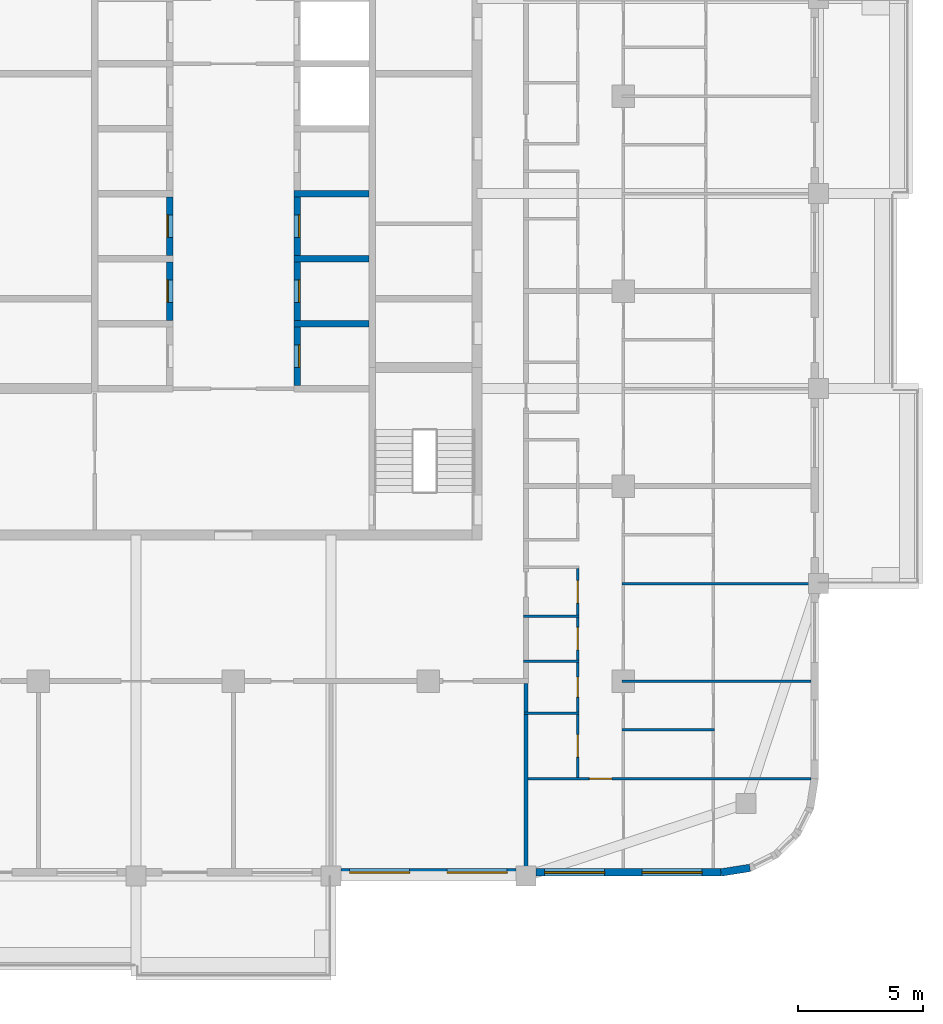
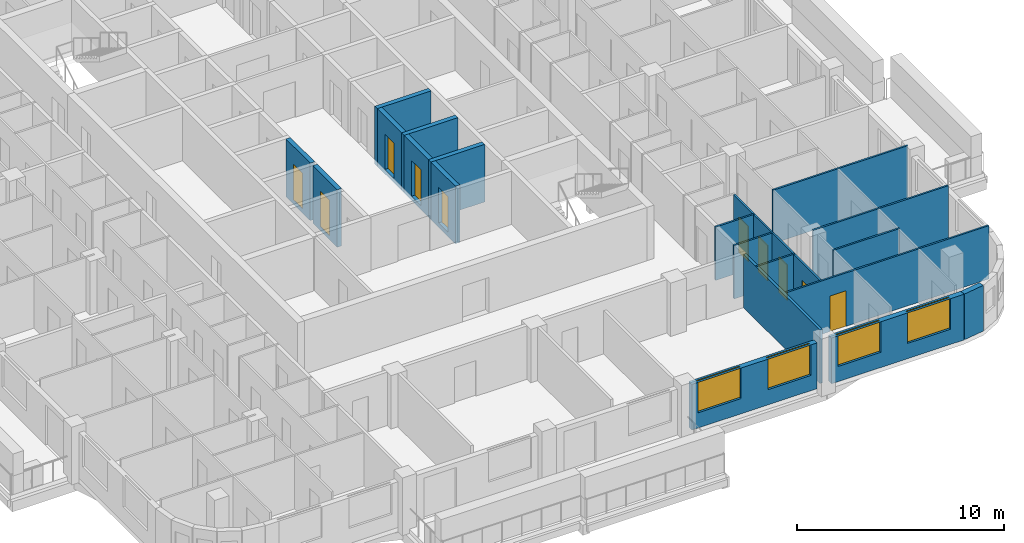
# One storey, part 5 of 16: 20 walls, 10 doors, 4 windows, 14 openings.
"""IFC4 building model written with IfcOpenShell, lengths in metres."""

from ifc_helpers import new_model, si_unit, direction, frame, frame_2d, origin, place, context, subcontext, project, spatial, rectangle, extrude, material, layer, layer_set, type_object, element, fill, save


model = new_model("IFC4")

# Units and contexts
model_context = context("Model", 3, precision=1e-05, world=origin(), true_north=direction((0.0, 1.0)))
body_context = subcontext(model_context, "Body", "Model", "MODEL_VIEW")
ifc_project = project(units=[si_unit("LENGTHUNIT", "METRE"), si_unit("AREAUNIT", "SQUARE_METRE"), si_unit("VOLUMEUNIT", "CUBIC_METRE"), si_unit("PLANEANGLEUNIT", "RADIAN"), si_unit("MASSUNIT", "GRAM", prefix="KILO")], contexts=[model_context])

# Site, building, storey
site_placement = place(None, origin())
site = spatial("IfcSite", under=ifc_project, at=site_placement, CompositionType="ELEMENT")
building_placement = place(site_placement, origin())
building = spatial("IfcBuilding", under=site, at=building_placement, Name="Ludao Terraces", CompositionType="ELEMENT")
storey_placement = place(building_placement, frame((0.0, 0.0, 214.300048828125)))
storey = spatial("IfcBuildingStorey", under=building, at=storey_placement, Name="L58", CompositionType="ELEMENT", Elevation=214.300048828125)

# Wall, openings, windows
ifc_material_1 = material(Name="Granite cladding", Category="masonry")
ifc_layer_1 = layer(ifc_material_1, 0.0400390625, Category="stone")
ifc_material_2 = material(Name="Mineral wool")
ifc_layer_2 = layer(ifc_material_2, 0.06005859375)
ifc_material_3 = material(Name="Concrete C40", Category="concrete")
ifc_layer_3 = layer(ifc_material_3, 0.199951171875, Category="concrete")
ifc_layer_set_1 = layer_set([ifc_layer_1, ifc_layer_2, ifc_layer_3], Name="ENV Stone-clad wall 300")
wall_type_1 = type_object("IfcWallType", Name="ENV Stone-clad wall 300", PredefinedType="SOLIDWALL", material=ifc_layer_set_1)
wall_1_placement = place(storey_placement, frame((89.300048828125, 41.75, 0.0), z_axis=(0.0, 0.0, 1.0), x_axis=(1.0, 0.0, 0.0)))
wall_1 = element("IfcWall", 1, at=wall_1_placement, inside=storey, type_object=wall_type_1, Name="EW-L58-S4", PredefinedType="SOLIDWALL", context=body_context, shape_type="SweptSolid", body=[
    extrude(rectangle(XDim=7.0, YDim=0.300048828125, at=frame_2d((3.5, 0.0))), origin(), (0.0, 0.0, 1.0), 2.699951171875),
])
opening_1_placement = place(wall_1_placement, frame((0.35009765625, 0.0, 0.89990234375)))
opening_1 = element("IfcOpeningElement", 2, at=opening_1_placement, cuts=wall_1, Name="Opening W1", PredefinedType="OPENING", context=body_context, shape_type="SweptSolid", body=[
    extrude(rectangle(XDim=2.39990234375, YDim=1.800048828125, at=frame_2d((1.199951171875, 0.89990234375))), frame((0.0, 0.16015625, 0.0), z_axis=(0.0, -1.0, 0.0), x_axis=(1.0, 0.0, 0.0)), (0.0, 0.0, 1.0), 0.320068359375),
])
opening_2_placement = place(wall_1_placement, frame((4.25, 0.0, 0.89990234375)))
opening_2 = element("IfcOpeningElement", 3, at=opening_2_placement, cuts=wall_1, Name="Opening W1", PredefinedType="OPENING", context=body_context, shape_type="SweptSolid", body=[
    extrude(rectangle(XDim=2.39990234375, YDim=1.800048828125, at=frame_2d((1.199951171875, 0.89990234375))), frame((0.0, 0.16015625, 0.0), z_axis=(0.0, -1.0, 0.0), x_axis=(1.0, 0.0, 0.0)), (0.0, 0.0, 1.0), 0.320068359375),
])
ifc_material_4 = material(Name="Clear glass in aluminium frame", Category="aluminium")
ifc_layer_4 = layer(ifc_material_4, 0.06005859375)
ifc_layer_set_2 = layer_set([ifc_layer_4], Name="ENV Window W1 2400x1800")
window_type = type_object("IfcWindowType", Name="ENV Window W1 2400x1800", PartitioningType="DOUBLE_PANEL_VERTICAL", PredefinedType="WINDOW", material=ifc_layer_set_2)
window_1_placement = place(opening_1_placement, origin())
window_1 = element("IfcWindow", 4, at=window_1_placement, inside=storey, type_object=window_type, Name="W-L58-S4-1", OverallHeight=1.800048828125, OverallWidth=2.39990234375, PartitioningType="DOUBLE_PANEL_VERTICAL", PredefinedType="WINDOW", context=body_context, shape_type="SweptSolid", body=[
    extrude(rectangle(XDim=2.39990234375, YDim=1.800048828125, at=frame_2d((1.199951171875, 0.89990234375))), frame((0.0, 0.030029296875, 0.0), z_axis=(0.0, -1.0, 0.0), x_axis=(1.0, 0.0, 0.0)), (0.0, 0.0, 1.0), 0.06005859375),
])
fill(opening_1, window_1)
window_2_placement = place(opening_2_placement, origin())
window_2 = element("IfcWindow", 5, at=window_2_placement, inside=storey, type_object=window_type, Name="W-L58-S4-2", OverallHeight=1.800048828125, OverallWidth=2.39990234375, PartitioningType="DOUBLE_PANEL_VERTICAL", PredefinedType="WINDOW", context=body_context, shape_type="SweptSolid", body=[
    extrude(rectangle(XDim=2.39990234375, YDim=1.800048828125, at=frame_2d((1.199951171875, 0.89990234375))), frame((0.0, 0.030029296875, 0.0), z_axis=(0.0, -1.0, 0.0), x_axis=(1.0, 0.0, 0.0)), (0.0, 0.0, 1.0), 0.06005859375),
])
fill(opening_2, window_2)

wall_2_placement = place(storey_placement, frame((97.10009765625, 41.75, 0.0), z_axis=(0.0, 0.0, 1.0), x_axis=(1.0, 0.0, 0.0)))
wall_2 = element("IfcWall", 6, at=wall_2_placement, inside=storey, type_object=wall_type_1, Name="EW-L58-S5", PredefinedType="SOLIDWALL", context=body_context, shape_type="SweptSolid", body=[
    extrude(rectangle(XDim=7.39990234375, YDim=0.300048828125, at=frame_2d((3.699951171875, 0.0))), origin(), (0.0, 0.0, 1.0), 2.699951171875),
])
opening_3_placement = place(wall_2_placement, frame((0.35009765625, 0.0, 0.89990234375)))
opening_3 = element("IfcOpeningElement", 7, at=opening_3_placement, cuts=wall_2, Name="Opening W1", PredefinedType="OPENING", context=body_context, shape_type="SweptSolid", body=[
    extrude(rectangle(XDim=2.39990234375, YDim=1.800048828125, at=frame_2d((1.199951171875, 0.89990234375))), frame((0.0, 0.16015625, 0.0), z_axis=(0.0, -1.0, 0.0), x_axis=(1.0, 0.0, 0.0)), (0.0, 0.0, 1.0), 0.320068359375),
])
opening_4_placement = place(wall_2_placement, frame((4.25, 0.0, 0.89990234375)))
opening_4 = element("IfcOpeningElement", 8, at=opening_4_placement, cuts=wall_2, Name="Opening W1", PredefinedType="OPENING", context=body_context, shape_type="SweptSolid", body=[
    extrude(rectangle(XDim=2.39990234375, YDim=1.800048828125, at=frame_2d((1.199951171875, 0.89990234375))), frame((0.0, 0.16015625, 0.0), z_axis=(0.0, -1.0, 0.0), x_axis=(1.0, 0.0, 0.0)), (0.0, 0.0, 1.0), 0.320068359375),
])
window_3_placement = place(opening_3_placement, origin())
window_3 = element("IfcWindow", 9, at=window_3_placement, inside=storey, type_object=window_type, Name="W-L58-S5-1", OverallHeight=1.800048828125, OverallWidth=2.39990234375, PartitioningType="DOUBLE_PANEL_VERTICAL", PredefinedType="WINDOW", context=body_context, shape_type="SweptSolid", body=[
    extrude(rectangle(XDim=2.39990234375, YDim=1.800048828125, at=frame_2d((1.199951171875, 0.89990234375))), frame((0.0, 0.030029296875, 0.0), z_axis=(0.0, -1.0, 0.0), x_axis=(1.0, 0.0, 0.0)), (0.0, 0.0, 1.0), 0.06005859375),
])
fill(opening_3, window_3)
window_4_placement = place(opening_4_placement, origin())
window_4 = element("IfcWindow", 10, at=window_4_placement, inside=storey, type_object=window_type, Name="W-L58-S5-2", OverallHeight=1.800048828125, OverallWidth=2.39990234375, PartitioningType="DOUBLE_PANEL_VERTICAL", PredefinedType="WINDOW", context=body_context, shape_type="SweptSolid", body=[
    extrude(rectangle(XDim=2.39990234375, YDim=1.800048828125, at=frame_2d((1.199951171875, 0.89990234375))), frame((0.0, 0.030029296875, 0.0), z_axis=(0.0, -1.0, 0.0), x_axis=(1.0, 0.0, 0.0)), (0.0, 0.0, 1.0), 0.06005859375),
])
fill(opening_4, window_4)

# Wall
wall_3_placement = place(storey_placement, frame((104.5, 41.75, 0.0), z_axis=(0.0, 0.0, 1.0), x_axis=(0.987678452879, 0.156496880861, 0.0)))
element("IfcWall", 11, at=wall_3_placement, inside=storey, type_object=wall_type_1, Name="EW-L58-SE1", PredefinedType="SOLIDWALL", context=body_context, shape_type="SweptSolid", body=[
    extrude(rectangle(XDim=1.173095703125, YDim=0.300048828125, at=frame_2d((0.58642578125, 0.0))), origin(), (0.0, 0.0, 1.0), 2.699951171875),
])

# Wall, opening, door
ifc_material_5 = material(Name="Gypsum plasterboard", Category="gypsum")
ifc_layer_5 = layer(ifc_material_5, 0.012451171875, Category="gypsum")
ifc_layer_6 = layer(ifc_material_2, 0.06005859375, Name="insulation")
ifc_material_6 = material(Name="Steel Q235", Category="steel")
ifc_layer_7 = layer(ifc_material_6, 0.014892578125, Name="stud")
ifc_layer_8 = layer(ifc_material_5, 0.012451171875, Category="gypsum")
ifc_layer_set_3 = layer_set([ifc_layer_5, ifc_layer_6, ifc_layer_7, ifc_layer_8], Name="INT Partition 100")
wall_type_2 = type_object("IfcWallType", Name="INT Partition 100", PredefinedType="PARTITIONING", material=ifc_layer_set_3)
wall_4_placement = place(storey_placement, frame((96.625, 45.5, 0.0), z_axis=(0.0, 0.0, 1.0), x_axis=(1.0, 0.0, 0.0)))
wall_4 = element("IfcWall", 12, at=wall_4_placement, inside=storey, type_object=wall_type_2, Name="PW-L58-PW001", PredefinedType="PARTITIONING", context=body_context, shape_type="SweptSolid", body=[
    extrude(rectangle(XDim=11.47509765625, YDim=0.10009765625, at=frame_2d((5.737548828125, 0.0))), origin(), (0.0, 0.0, 1.0), 3.14990234375),
])
opening_5_placement = place(wall_4_placement, frame((2.610107421875, 0.0, 0.0)))
opening_5 = element("IfcOpeningElement", 13, at=opening_5_placement, cuts=wall_4, Name="Opening R21-006", PredefinedType="OPENING", context=body_context, shape_type="SweptSolid", body=[
    extrude(rectangle(XDim=0.89990234375, YDim=2.10009765625, at=frame_2d((0.449951171875, 1.050048828125))), frame((0.0, 0.06005859375, 0.0), z_axis=(0.0, -1.0, 0.0), x_axis=(1.0, 0.0, 0.0)), (0.0, 0.0, 1.0), 0.1201171875),
])
ifc_material_7 = material(Name="Timber door leaf", Category="wood")
door_type_1 = type_object("IfcDoorType", Name="INT Room door 900", OperationType="SINGLE_SWING_LEFT", PredefinedType="DOOR", material=ifc_material_7)
door_1_placement = place(opening_5_placement, origin())
door_1 = element("IfcDoor", 14, at=door_1_placement, inside=storey, type_object=door_type_1, Name="DOOR 006", OperationType="SINGLE_SWING_RIGHT", OverallHeight=2.10009765625, OverallWidth=0.89990234375, PredefinedType="DOOR", context=body_context, shape_type="SweptSolid", body=[
    extrude(rectangle(XDim=0.89990234375, YDim=2.10009765625, at=frame_2d((0.449951171875, 1.050048828125))), frame((0.0, 0.02490234375, 0.0), z_axis=(0.0, -1.0, 0.0), x_axis=(1.0, 0.0, 0.0)), (0.0, 0.0, 1.0), 0.050048828125),
])
fill(opening_5, door_1)

# Walls
wall_5_placement = place(storey_placement, frame((100.550048828125, 47.449951171875, 0.0), z_axis=(0.0, 0.0, 1.0), x_axis=(1.0, 0.0, 0.0)))
element("IfcWall", 15, at=wall_5_placement, inside=storey, type_object=wall_type_2, Name="PW-L58-PW003", PredefinedType="PARTITIONING", context=body_context, shape_type="SweptSolid", body=[
    extrude(rectangle(XDim=3.699951171875, YDim=0.10009765625, at=frame_2d((1.85009765625, 0.0))), origin(), (0.0, 0.0, 1.0), 3.14990234375),
])
wall_6_placement = place(storey_placement, frame((96.625, 48.1201171875, 0.0), z_axis=(0.0, 0.0, 1.0), x_axis=(1.0, 0.0, 0.0)))
element("IfcWall", 16, at=wall_6_placement, inside=storey, type_object=wall_type_2, Name="PW-L58-PW005", PredefinedType="PARTITIONING", context=body_context, shape_type="SweptSolid", body=[
    extrude(rectangle(XDim=2.195068359375, YDim=0.10009765625, at=frame_2d((1.09765625, 0.0))), origin(), (0.0, 0.0, 1.0), 3.14990234375),
])
wall_7_placement = place(storey_placement, frame((100.550048828125, 49.39990234375, 0.0), z_axis=(0.0, 0.0, 1.0), x_axis=(1.0, 0.0, 0.0)))
element("IfcWall", 17, at=wall_7_placement, inside=storey, type_object=wall_type_2, Name="PW-L58-PW008", PredefinedType="PARTITIONING", context=body_context, shape_type="SweptSolid", body=[
    extrude(rectangle(XDim=7.550048828125, YDim=0.10009765625, at=frame_2d((3.77490234375, 0.0))), origin(), (0.0, 0.0, 1.0), 3.14990234375),
])
for number, where, z_axis, x_axis, name in (
    (18, (96.60009765625, 50.199951171875, 0.0), (0.0, 0.0, 1.0), (1.0, 0.0, 0.0), "PW-L58-PW009"),
    (19, (96.60009765625, 52.0, 0.0), (0.0, 0.0, 1.0), (1.0, 0.0, 0.0), "PW-L58-PW011"),
):
    element("IfcWall", number, at=place(storey_placement, frame(where, z_axis=z_axis, x_axis=x_axis)), inside=storey, type_object=wall_type_2, Name=name, PredefinedType="PARTITIONING", context=body_context, shape_type="SweptSolid", body=[
        extrude(rectangle(XDim=2.219970703125, YDim=0.10009765625, at=frame_2d((1.10986328125, 0.0))), origin(), (0.0, 0.0, 1.0), 3.14990234375),
    ])
wall_8_placement = place(storey_placement, frame((100.550048828125, 53.300048828125, 0.0), z_axis=(0.0, 0.0, 1.0), x_axis=(1.0, 0.0, 0.0)))
element("IfcWall", 20, at=wall_8_placement, inside=storey, type_object=wall_type_2, Name="PW-L58-PW013", PredefinedType="PARTITIONING", context=body_context, shape_type="SweptSolid", body=[
    extrude(rectangle(XDim=7.550048828125, YDim=0.10009765625, at=frame_2d((3.77490234375, 0.0))), origin(), (0.0, 0.0, 1.0), 3.14990234375),
])

# Wall, openings, doors
wall_9_placement = place(storey_placement, frame((98.77001953125, 45.550048828125, 0.0), z_axis=(0.0, 0.0, 1.0), x_axis=(0.0, 1.0, 0.0)))
wall_9 = element("IfcWall", 21, at=wall_9_placement, inside=storey, type_object=wall_type_2, Name="PW-L58-PW092", PredefinedType="PARTITIONING", context=body_context, shape_type="SweptSolid", body=[
    extrude(rectangle(XDim=8.35009765625, YDim=0.10009765625, at=frame_2d((4.175048828125, 0.0))), origin(), (0.0, 0.0, 1.0), 3.14990234375),
])
opening_6_placement = place(wall_9_placement, frame((0.81005859375, 0.0, 0.0)))
opening_6 = element("IfcOpeningElement", 22, at=opening_6_placement, cuts=wall_9, Name="Opening R21-010", PredefinedType="OPENING", context=body_context, shape_type="SweptSolid", body=[
    extrude(rectangle(XDim=0.89990234375, YDim=2.10009765625, at=frame_2d((0.449951171875, 1.050048828125))), frame((0.0, 0.06005859375, 0.0), z_axis=(0.0, -1.0, 0.0), x_axis=(1.0, 0.0, 0.0)), (0.0, 0.0, 1.0), 0.1201171875),
])
opening_7_placement = place(wall_9_placement, frame((3.2099609375, 0.0, 0.0)))
opening_7 = element("IfcOpeningElement", 23, at=opening_7_placement, cuts=wall_9, Name="Opening R21-015", PredefinedType="OPENING", context=body_context, shape_type="SweptSolid", body=[
    extrude(rectangle(XDim=0.800048828125, YDim=2.10009765625, at=frame_2d((0.39990234375, 1.050048828125))), frame((0.0, 0.06005859375, 0.0), z_axis=(0.0, -1.0, 0.0), x_axis=(1.0, 0.0, 0.0)), (0.0, 0.0, 1.0), 0.1201171875),
])
opening_8_placement = place(wall_9_placement, frame((5.10009765625, 0.0, 0.0)))
opening_8 = element("IfcOpeningElement", 24, at=opening_8_placement, cuts=wall_9, Name="Opening R21-021", PredefinedType="OPENING", context=body_context, shape_type="SweptSolid", body=[
    extrude(rectangle(XDim=0.89990234375, YDim=2.10009765625, at=frame_2d((0.449951171875, 1.050048828125))), frame((0.0, 0.06005859375, 0.0), z_axis=(0.0, -1.0, 0.0), x_axis=(1.0, 0.0, 0.0)), (0.0, 0.0, 1.0), 0.1201171875),
])
opening_9_placement = place(wall_9_placement, frame((6.97509765625, 0.0, 0.0)))
opening_9 = element("IfcOpeningElement", 25, at=opening_9_placement, cuts=wall_9, Name="Opening R21-027", PredefinedType="OPENING", context=body_context, shape_type="SweptSolid", body=[
    extrude(rectangle(XDim=0.89990234375, YDim=2.10009765625, at=frame_2d((0.449951171875, 1.050048828125))), frame((0.0, 0.06005859375, 0.0), z_axis=(0.0, -1.0, 0.0), x_axis=(1.0, 0.0, 0.0)), (0.0, 0.0, 1.0), 0.1201171875),
])
door_type_2 = type_object("IfcDoorType", Name="INT Bathroom door 900", OperationType="SINGLE_SWING_LEFT", PredefinedType="DOOR", material=ifc_material_7)
door_2_placement = place(opening_8_placement, origin())
door_2 = element("IfcDoor", 26, at=door_2_placement, inside=storey, type_object=door_type_2, Name="DOOR 021", OperationType="SINGLE_SWING_LEFT", OverallHeight=2.10009765625, OverallWidth=0.89990234375, PredefinedType="DOOR", context=body_context, shape_type="SweptSolid", body=[
    extrude(rectangle(XDim=0.89990234375, YDim=2.10009765625, at=frame_2d((0.449951171875, 1.050048828125))), frame((0.0, 0.02490234375, 0.0), z_axis=(0.0, -1.0, 0.0), x_axis=(1.0, 0.0, 0.0)), (0.0, 0.0, 1.0), 0.050048828125),
])
fill(opening_8, door_2)
door_3_placement = place(opening_9_placement, origin())
door_3 = element("IfcDoor", 27, at=door_3_placement, inside=storey, type_object=door_type_2, Name="DOOR 027", OperationType="SINGLE_SWING_RIGHT", OverallHeight=2.10009765625, OverallWidth=0.89990234375, PredefinedType="DOOR", context=body_context, shape_type="SweptSolid", body=[
    extrude(rectangle(XDim=0.89990234375, YDim=2.10009765625, at=frame_2d((0.449951171875, 1.050048828125))), frame((0.0, 0.02490234375, 0.0), z_axis=(0.0, -1.0, 0.0), x_axis=(1.0, 0.0, 0.0)), (0.0, 0.0, 1.0), 0.050048828125),
])
fill(opening_9, door_3)
door_4_placement = place(opening_6_placement, origin())
door_4 = element("IfcDoor", 28, at=door_4_placement, inside=storey, type_object=door_type_1, Name="DOOR 010", OperationType="SINGLE_SWING_LEFT", OverallHeight=2.10009765625, OverallWidth=0.89990234375, PredefinedType="DOOR", context=body_context, shape_type="SweptSolid", body=[
    extrude(rectangle(XDim=0.89990234375, YDim=2.10009765625, at=frame_2d((0.449951171875, 1.050048828125))), frame((0.0, 0.02490234375, 0.0), z_axis=(0.0, -1.0, 0.0), x_axis=(1.0, 0.0, 0.0)), (0.0, 0.0, 1.0), 0.050048828125),
])
fill(opening_6, door_4)
door_type_3 = type_object("IfcDoorType", Name="INT Store door 800", OperationType="SINGLE_SWING_LEFT", PredefinedType="DOOR", material=ifc_material_7)
door_5_placement = place(opening_7_placement, origin())
door_5 = element("IfcDoor", 29, at=door_5_placement, inside=storey, type_object=door_type_3, Name="DOOR 015", OperationType="SINGLE_SWING_LEFT", OverallHeight=2.10009765625, OverallWidth=0.800048828125, PredefinedType="DOOR", context=body_context, shape_type="SweptSolid", body=[
    extrude(rectangle(XDim=0.800048828125, YDim=2.10009765625, at=frame_2d((0.39990234375, 1.050048828125))), frame((0.0, 0.02490234375, 0.0), z_axis=(0.0, -1.0, 0.0), x_axis=(1.0, 0.0, 0.0)), (0.0, 0.0, 1.0), 0.050048828125),
])
fill(opening_7, door_5)

# Wall
ifc_material_8 = material(Name="Autoclaved aerated concrete block B06 A3.5", Category="concrete")
ifc_layer_9 = layer(ifc_material_8, 0.14990234375)
ifc_layer_set_4 = layer_set([ifc_layer_9], Name="INT Party wall 150")
wall_type_3 = type_object("IfcWallType", Name="INT Party wall 150", PredefinedType="PARTITIONING", material=ifc_layer_set_4)
wall_10_placement = place(storey_placement, frame((96.699951171875, 41.900146484375, 0.0), z_axis=(0.0, 0.0, 1.0), x_axis=(0.0, 1.0, 0.0)))
element("IfcWall", 30, at=wall_10_placement, inside=storey, type_object=wall_type_3, Name="PW-L58-PW089", PredefinedType="PARTITIONING", context=body_context, shape_type="SweptSolid", body=[
    extrude(rectangle(XDim=7.39990234375, YDim=0.14990234375, at=frame_2d((3.699951171875, 0.0))), origin(), (0.0, 0.0, 1.0), 3.14990234375),
])

# Wall, opening, door
ifc_material_9 = material(Name="Concrete C50", Category="concrete")
ifc_layer_10 = layer(ifc_material_9, 0.25)
ifc_layer_set_5 = layer_set([ifc_layer_10], Name="Shaft wall 250 C50")
wall_type_4 = type_object("IfcWallType", Name="Shaft wall 250 C50", PredefinedType="SOLIDWALL", material=ifc_layer_set_5)
wall_11_placement = place(storey_placement, frame((82.449951171875, 63.824951171875, -0.25), z_axis=(0.0, 0.0, 1.0), x_axis=(0.0, 1.0, 0.0)))
wall_11 = element("IfcWall", 31, at=wall_11_placement, inside=storey, type_object=wall_type_4, Name="Core wall L58 front-W2", PredefinedType="SOLIDWALL", context=body_context, shape_type="SweptSolid", body=[
    extrude(rectangle(XDim=2.35009765625, YDim=0.25, at=frame_2d((1.175048828125, 0.0))), origin(), (0.0, 0.0, 1.0), 3.39990234375),
])
opening_10_placement = place(wall_11_placement, frame((0.72509765625, 0.0, 0.25)))
opening_10 = element("IfcOpeningElement", 32, at=opening_10_placement, cuts=wall_11, Name="Opening R21-063", PredefinedType="OPENING", context=body_context, shape_type="SweptSolid", body=[
    extrude(rectangle(XDim=0.89990234375, YDim=2.10009765625, at=frame_2d((0.449951171875, 1.050048828125))), frame((0.0, 0.135009765625, 0.0), z_axis=(0.0, -1.0, 0.0), x_axis=(1.0, 0.0, 0.0)), (0.0, 0.0, 1.0), 0.27001953125),
])
door_6_placement = place(opening_10_placement, origin())
door_6 = element("IfcDoor", 33, at=door_6_placement, inside=storey, type_object=door_type_1, Name="DOOR 063", OperationType="SINGLE_SWING_LEFT", OverallHeight=2.10009765625, OverallWidth=0.89990234375, PredefinedType="DOOR", context=body_context, shape_type="SweptSolid", body=[
    extrude(rectangle(XDim=0.89990234375, YDim=2.10009765625, at=frame_2d((0.449951171875, 1.050048828125))), frame((0.0, 0.10986328125, 0.0), z_axis=(0.0, -1.0, 0.0), x_axis=(1.0, 0.0, 0.0)), (0.0, 0.0, 1.0), 0.050048828125),
])
fill(opening_10, door_6)

wall_12_placement = place(storey_placement, frame((82.449951171875, 66.425048828125, -0.25), z_axis=(0.0, 0.0, 1.0), x_axis=(0.0, 1.0, 0.0)))
wall_12 = element("IfcWall", 34, at=wall_12_placement, inside=storey, type_object=wall_type_4, Name="Core wall L58 front-W3", PredefinedType="SOLIDWALL", context=body_context, shape_type="SweptSolid", body=[
    extrude(rectangle(XDim=2.349853515625, YDim=0.25, at=frame_2d((1.1748046875, 0.0))), origin(), (0.0, 0.0, 1.0), 3.39990234375),
])
opening_11_placement = place(wall_12_placement, frame((0.72509765625, 0.0, 0.25)))
opening_11 = element("IfcOpeningElement", 35, at=opening_11_placement, cuts=wall_12, Name="Opening R21-072", PredefinedType="OPENING", context=body_context, shape_type="SweptSolid", body=[
    extrude(rectangle(XDim=0.89990234375, YDim=2.10009765625, at=frame_2d((0.449951171875, 1.050048828125))), frame((0.0, 0.135009765625, 0.0), z_axis=(0.0, -1.0, 0.0), x_axis=(1.0, 0.0, 0.0)), (0.0, 0.0, 1.0), 0.27001953125),
])
door_7_placement = place(opening_11_placement, origin())
door_7 = element("IfcDoor", 36, at=door_7_placement, inside=storey, type_object=door_type_1, Name="DOOR 072", OperationType="SINGLE_SWING_RIGHT", OverallHeight=2.10009765625, OverallWidth=0.89990234375, PredefinedType="DOOR", context=body_context, shape_type="SweptSolid", body=[
    extrude(rectangle(XDim=0.89990234375, YDim=2.10009765625, at=frame_2d((0.449951171875, 1.050048828125))), frame((0.0, 0.10986328125, 0.0), z_axis=(0.0, -1.0, 0.0), x_axis=(1.0, 0.0, 0.0)), (0.0, 0.0, 1.0), 0.050048828125),
])
fill(opening_11, door_7)

wall_13_placement = place(storey_placement, frame((87.550048828125, 61.22509765625, -0.25), z_axis=(0.0, 0.0, 1.0), x_axis=(0.0, 1.0, 0.0)))
wall_13 = element("IfcWall", 37, at=wall_13_placement, inside=storey, type_object=wall_type_4, Name="Core wall L58 front-E1", PredefinedType="SOLIDWALL", context=body_context, shape_type="SweptSolid", body=[
    extrude(rectangle(XDim=2.349853515625, YDim=0.25, at=frame_2d((1.1748046875, 0.0))), origin(), (0.0, 0.0, 1.0), 3.39990234375),
])
opening_12_placement = place(wall_13_placement, frame((0.72509765625, 0.0, 0.25)))
opening_12 = element("IfcOpeningElement", 38, at=opening_12_placement, cuts=wall_13, Name="Opening R21-054", PredefinedType="OPENING", context=body_context, shape_type="SweptSolid", body=[
    extrude(rectangle(XDim=0.89990234375, YDim=2.10009765625, at=frame_2d((0.449951171875, 1.050048828125))), frame((0.0, 0.135009765625, 0.0), z_axis=(0.0, -1.0, 0.0), x_axis=(1.0, 0.0, 0.0)), (0.0, 0.0, 1.0), 0.27001953125),
])
door_8_placement = place(opening_12_placement, origin())
door_8 = element("IfcDoor", 39, at=door_8_placement, inside=storey, type_object=door_type_1, Name="DOOR 054", OperationType="SINGLE_SWING_RIGHT", OverallHeight=2.10009765625, OverallWidth=0.89990234375, PredefinedType="DOOR", context=body_context, shape_type="SweptSolid", body=[
    extrude(rectangle(XDim=0.89990234375, YDim=2.10009765625, at=frame_2d((0.449951171875, 1.050048828125))), frame((0.0, -0.06005859375, 0.0), z_axis=(0.0, -1.0, 0.0), x_axis=(1.0, 0.0, 0.0)), (0.0, 0.0, 1.0), 0.050048828125),
])
fill(opening_12, door_8)

# Wall
wall_14_placement = place(storey_placement, frame((87.425048828125, 63.699951171875, -0.25), z_axis=(0.0, 0.0, 1.0), x_axis=(1.0, 0.0, 0.0)))
element("IfcWall", 40, at=wall_14_placement, inside=storey, type_object=wall_type_4, Name="Core wall L58 div-E2", PredefinedType="SOLIDWALL", context=body_context, shape_type="SweptSolid", body=[
    extrude(rectangle(XDim=3.0, YDim=0.25, at=frame_2d((1.5, 0.0))), origin(), (0.0, 0.0, 1.0), 3.39990234375),
])

# Wall, opening, door
wall_15_placement = place(storey_placement, frame((87.550048828125, 63.824951171875, -0.25), z_axis=(0.0, 0.0, 1.0), x_axis=(0.0, 1.0, 0.0)))
wall_15 = element("IfcWall", 41, at=wall_15_placement, inside=storey, type_object=wall_type_4, Name="Core wall L58 front-E2", PredefinedType="SOLIDWALL", context=body_context, shape_type="SweptSolid", body=[
    extrude(rectangle(XDim=2.35009765625, YDim=0.25, at=frame_2d((1.175048828125, 0.0))), origin(), (0.0, 0.0, 1.0), 3.39990234375),
])
opening_13_placement = place(wall_15_placement, frame((0.72509765625, 0.0, 0.25)))
opening_13 = element("IfcOpeningElement", 42, at=opening_13_placement, cuts=wall_15, Name="Opening R21-064", PredefinedType="OPENING", context=body_context, shape_type="SweptSolid", body=[
    extrude(rectangle(XDim=0.89990234375, YDim=2.10009765625, at=frame_2d((0.449951171875, 1.050048828125))), frame((0.0, 0.135009765625, 0.0), z_axis=(0.0, -1.0, 0.0), x_axis=(1.0, 0.0, 0.0)), (0.0, 0.0, 1.0), 0.27001953125),
])
door_9_placement = place(opening_13_placement, origin())
door_9 = element("IfcDoor", 43, at=door_9_placement, inside=storey, type_object=door_type_1, Name="DOOR 064", OperationType="SINGLE_SWING_RIGHT", OverallHeight=2.10009765625, OverallWidth=0.89990234375, PredefinedType="DOOR", context=body_context, shape_type="SweptSolid", body=[
    extrude(rectangle(XDim=0.89990234375, YDim=2.10009765625, at=frame_2d((0.449951171875, 1.050048828125))), frame((0.0, -0.06005859375, 0.0), z_axis=(0.0, -1.0, 0.0), x_axis=(1.0, 0.0, 0.0)), (0.0, 0.0, 1.0), 0.050048828125),
])
fill(opening_13, door_9)

# Wall
wall_16_placement = place(storey_placement, frame((87.425048828125, 66.300048828125, -0.25), z_axis=(0.0, 0.0, 1.0), x_axis=(1.0, 0.0, 0.0)))
element("IfcWall", 44, at=wall_16_placement, inside=storey, type_object=wall_type_4, Name="Core wall L58 div-E3", PredefinedType="SOLIDWALL", context=body_context, shape_type="SweptSolid", body=[
    extrude(rectangle(XDim=3.0, YDim=0.25, at=frame_2d((1.5, 0.0))), origin(), (0.0, 0.0, 1.0), 3.39990234375),
])

# Wall, opening, door
wall_17_placement = place(storey_placement, frame((87.550048828125, 66.425048828125, -0.25), z_axis=(0.0, 0.0, 1.0), x_axis=(0.0, 1.0, 0.0)))
wall_17 = element("IfcWall", 45, at=wall_17_placement, inside=storey, type_object=wall_type_4, Name="Core wall L58 front-E3", PredefinedType="SOLIDWALL", context=body_context, shape_type="SweptSolid", body=[
    extrude(rectangle(XDim=2.349853515625, YDim=0.25, at=frame_2d((1.1748046875, 0.0))), origin(), (0.0, 0.0, 1.0), 3.39990234375),
])
opening_14_placement = place(wall_17_placement, frame((0.72509765625, 0.0, 0.25)))
opening_14 = element("IfcOpeningElement", 46, at=opening_14_placement, cuts=wall_17, Name="Opening R21-073", PredefinedType="OPENING", context=body_context, shape_type="SweptSolid", body=[
    extrude(rectangle(XDim=0.89990234375, YDim=2.10009765625, at=frame_2d((0.449951171875, 1.050048828125))), frame((0.0, 0.135009765625, 0.0), z_axis=(0.0, -1.0, 0.0), x_axis=(1.0, 0.0, 0.0)), (0.0, 0.0, 1.0), 0.27001953125),
])
door_10_placement = place(opening_14_placement, origin())
door_10 = element("IfcDoor", 47, at=door_10_placement, inside=storey, type_object=door_type_1, Name="DOOR 073", OperationType="SINGLE_SWING_LEFT", OverallHeight=2.10009765625, OverallWidth=0.89990234375, PredefinedType="DOOR", context=body_context, shape_type="SweptSolid", body=[
    extrude(rectangle(XDim=0.89990234375, YDim=2.10009765625, at=frame_2d((0.449951171875, 1.050048828125))), frame((0.0, -0.06005859375, 0.0), z_axis=(0.0, -1.0, 0.0), x_axis=(1.0, 0.0, 0.0)), (0.0, 0.0, 1.0), 0.050048828125),
])
fill(opening_14, door_10)

# Wall
wall_18_placement = place(storey_placement, frame((87.425048828125, 68.89990234375, -0.25), z_axis=(0.0, 0.0, 1.0), x_axis=(1.0, 0.0, 0.0)))
element("IfcWall", 48, at=wall_18_placement, inside=storey, type_object=wall_type_4, Name="Core wall L58 div-E4", PredefinedType="SOLIDWALL", context=body_context, shape_type="SweptSolid", body=[
    extrude(rectangle(XDim=3.0, YDim=0.25, at=frame_2d((1.5, 0.0))), origin(), (0.0, 0.0, 1.0), 3.39990234375),
])

save(model, "model.ifc")
